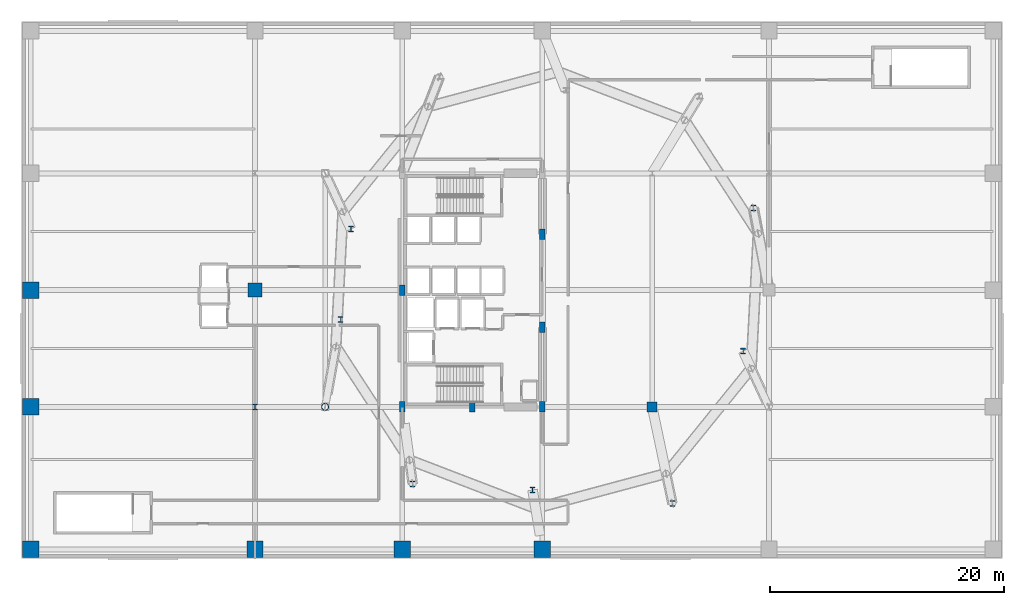
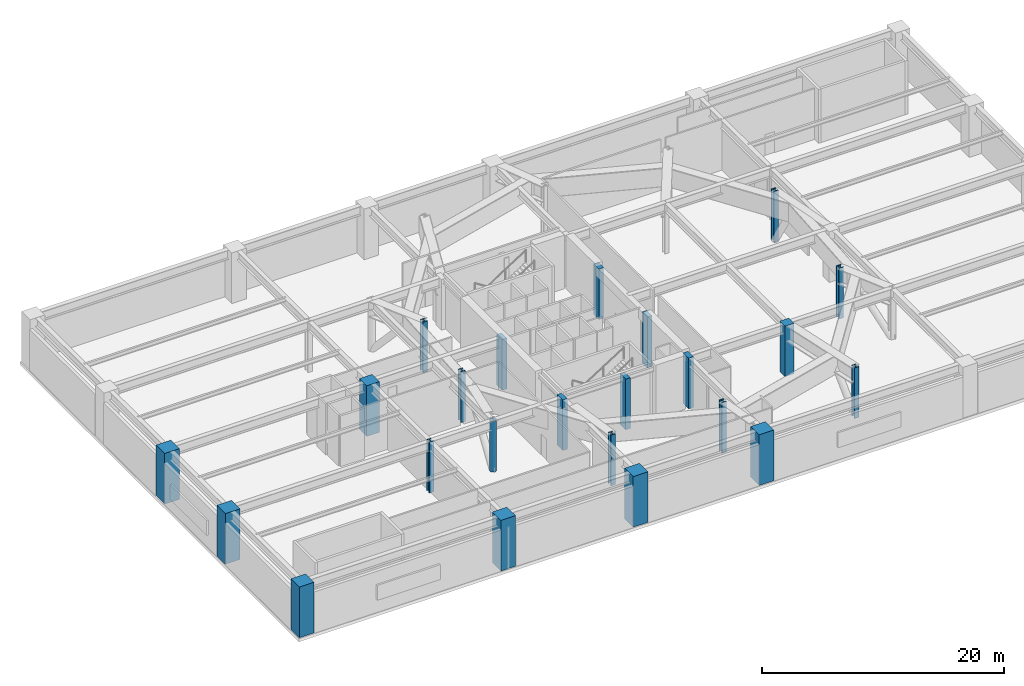
# One storey, part 1 of 12: 23 columns.
"""IFC4 building model written with IfcOpenShell, lengths in metres."""

from ifc_helpers import new_model, si_unit, direction, frame, origin, origin_2d, place, context, subcontext, project, spatial, rectangle, hollow_circle, i_section, extrude, material, material_profile, profile_set, type_object, element, save


model = new_model("IFC4")

# Units and contexts
model_context = context("Model", 3, precision=1e-05, world=origin(), true_north=direction((0.0, 1.0)))
body_context = subcontext(model_context, "Body", "Model", "MODEL_VIEW")
ifc_project = project(units=[si_unit("LENGTHUNIT", "METRE"), si_unit("AREAUNIT", "SQUARE_METRE"), si_unit("VOLUMEUNIT", "CUBIC_METRE"), si_unit("PLANEANGLEUNIT", "RADIAN"), si_unit("MASSUNIT", "GRAM", prefix="KILO")], contexts=[model_context])

# Site, building, storey
site_placement = place(None, origin())
site = spatial("IfcSite", under=ifc_project, at=site_placement, CompositionType="ELEMENT")
building_placement = place(site_placement, origin())
building = spatial("IfcBuilding", under=site, at=building_placement, Name="Soratama Intermodal Tower", CompositionType="ELEMENT")
storey_placement = place(building_placement, frame((0.0, 0.0, 25.199951171875)))
storey = spatial("IfcBuildingStorey", under=building, at=storey_placement, Name="L05", CompositionType="ELEMENT", Elevation=25.199951171875)

# Columns
ifc_material_1 = material(Name="Concrete f'c 56 MPa", Category="concrete")
ifc_material_profile_1 = material_profile(ifc_material_1, rectangle(XDim=1.39990234375, YDim=1.39990234375, at=origin_2d()), Name="RC1400X1400")
ifc_profile_set_1 = profile_set([ifc_material_profile_1], Name="Concrete f'c 56 MPa")
column_type_1 = type_object("IfcColumnType", Name="COL-POD-EXT-RC1400", PredefinedType="COLUMN", material=ifc_profile_set_1)
for number, where, z_axis, x_axis, name in (
    (1, (0.800048828125, 2.800048828125, 0.0), (0.0, 0.0, 1.0), (1.0, 0.0, 0.0), "L05 Station Column P01"),
    (2, (20.0, 2.800048828125, 0.0), (0.0, 0.0, 1.0), (1.0, 0.0, 0.0), "L05 Station Column P02"),
    (3, (0.800048828125, 15.0, 0.0), (0.0, 0.0, 1.0), (1.0, 0.0, 0.0), "L05 Station Column P05"),
    (4, (0.800048828125, 25.0, 0.0), (0.0, 0.0, 1.0), (1.0, 0.0, 0.0), "L05 Station Column P17"),
    (5, (32.60009765625, 2.800048828125, 0.0), (0.0, 0.0, 1.0), (1.0, 0.0, 0.0), "L05 Station Column P21"),
    (6, (44.60009765625, 2.800048828125, 0.0), (0.0, 0.0, 1.0), (1.0, 0.0, 0.0), "L05 Station Column P22"),
):
    element("IfcColumn", number, at=place(storey_placement, frame(where, z_axis=z_axis, x_axis=x_axis)), inside=storey, type_object=column_type_1, Name=name, PredefinedType="COLUMN", context=body_context, shape_type="SweptSolid", body=[
        extrude(rectangle(XDim=1.39990234375, YDim=1.39990234375, at=origin_2d()), origin(), (0.0, 0.0, 1.0), 5.10009765625),
    ])
ifc_material_2 = material(Name="Concrete f'c 56 MPa", Category="concrete")
ifc_material_profile_2 = material_profile(ifc_material_2, rectangle(XDim=1.199951171875, YDim=1.199951171875, at=origin_2d()), Name="RC1200X1200")
ifc_profile_set_2 = profile_set([ifc_material_profile_2], Name="Concrete f'c 56 MPa")
column_type_2 = type_object("IfcColumnType", Name="COL-POD-RC1200", PredefinedType="COLUMN", material=ifc_profile_set_2)
column_1_placement = place(storey_placement, frame((20.0, 25.0, 0.0), z_axis=(0.0, 0.0, 1.0), x_axis=(1.0, 0.0, 0.0)))
element("IfcColumn", 7, at=column_1_placement, inside=storey, type_object=column_type_2, Name="L05 Station Column P18", PredefinedType="COLUMN", context=body_context, shape_type="SweptSolid", body=[
    extrude(rectangle(XDim=1.199951171875, YDim=1.199951171875, at=origin_2d()), origin(), (0.0, 0.0, 1.0), 5.10009765625),
])
ifc_material_3 = material(Name="Concrete f'c 56 MPa", Category="concrete")
ifc_material_profile_3 = material_profile(ifc_material_3, rectangle(XDim=0.85009765625, YDim=0.85009765625, at=origin_2d()), Name="RC850X850")
ifc_profile_set_3 = profile_set([ifc_material_profile_3], Name="Concrete f'c 56 MPa")
column_type_3 = type_object("IfcColumnType", Name="COL-POD-RC850", PredefinedType="COLUMN", material=ifc_profile_set_3)
column_2_placement = place(storey_placement, frame((54.0, 15.0, 0.0), z_axis=(0.0, 0.0, 1.0), x_axis=(1.0, 0.0, 0.0)))
element("IfcColumn", 8, at=column_2_placement, inside=storey, type_object=column_type_3, Name="L05 Station Column P25", PredefinedType="COLUMN", context=body_context, shape_type="SweptSolid", body=[
    extrude(rectangle(XDim=0.85009765625, YDim=0.85009765625, at=origin_2d()), origin(), (0.0, 0.0, 1.0), 5.10009765625),
])
ifc_material_4 = material(Name="Structural steel ASTM A992 Grade 50", Category="steel")
ifc_material_profile_4 = material_profile(ifc_material_4, i_section(OverallWidth=0.431884765625, OverallDepth=0.498046875, WebThickness=0.0556640625, FlangeThickness=0.0888671875, FilletRadius=0.0380859375, at=origin_2d()), Name="W14X500")
ifc_profile_set_4 = profile_set([ifc_material_profile_4], Name="Structural steel ASTM A992 Grade 50")
column_type_4 = type_object("IfcColumnType", Name="COL-POD-W14X500", PredefinedType="COLUMN", material=ifc_profile_set_4)
for number, where, z_axis, x_axis, name in (
    (9, (20.0, 15.0, 0.0), (0.0, 0.0, 1.0), (1.0, 0.0, 0.0), "L05 Station Column P06"),
    (10, (62.6689453125, 32.02490234375, 0.0), (0.0, 0.0, 1.0), (1.0, 0.0, 0.0), "L05 Station Column P29"),
    (11, (28.208984375, 30.22705078125, 0.0), (0.0, 0.0, 1.0), (1.0, 0.0, 0.0), "L05 Station Column P33"),
    (12, (27.3310546875, 22.47509765625, 0.0), (0.0, 0.0, 1.0), (1.0, 0.0, 0.0), "L05 Station Column P34"),
    (13, (33.498046875, 8.405029296875, 0.0), (0.0, 0.0, 1.0), (1.0, 0.0, 0.0), "L05 Station Column P35"),
    (14, (43.759033203125, 7.883056640625, 0.0), (0.0, 0.0, 1.0), (1.0, 0.0, 0.0), "L05 Station Column P36"),
    (15, (55.73388671875, 6.735107421875, 0.0), (0.0, 0.0, 1.0), (1.0, 0.0, 0.0), "L05 Station Column P37"),
    (16, (61.791015625, 19.77294921875, 0.0), (0.0, 0.0, 1.0), (1.0, 0.0, 0.0), "L05 Station Column P38"),
):
    element("IfcColumn", number, at=place(storey_placement, frame(where, z_axis=z_axis, x_axis=x_axis)), inside=storey, type_object=column_type_4, Name=name, PredefinedType="COLUMN", context=body_context, shape_type="SweptSolid", body=[
        extrude(i_section(OverallWidth=0.431884765625, OverallDepth=0.498046875, WebThickness=0.0556640625, FlangeThickness=0.0888671875, FilletRadius=0.0380859375, at=origin_2d()), origin(), (0.0, 0.0, 1.0), 5.10009765625),
    ])
ifc_material_5 = material(Name="Structural steel ASTM A500 Grade C", Category="steel")
ifc_material_profile_5 = material_profile(ifc_material_5, hollow_circle(Radius=0.304931640625, WallThickness=0.02197265625, at=origin_2d()), Name="CHS610X22")
ifc_profile_set_5 = profile_set([ifc_material_profile_5], Name="Structural steel ASTM A500 Grade C")
column_type_5 = type_object("IfcColumnType", Name="COL-POOL-CHS610", PredefinedType="COLUMN", material=ifc_profile_set_5)
column_3_placement = place(storey_placement, frame((26.0, 15.0, 0.0), z_axis=(0.0, 0.0, 1.0), x_axis=(1.0, 0.0, 0.0)))
element("IfcColumn", 17, at=column_3_placement, inside=storey, type_object=column_type_5, Name="L05 Station Column P27", PredefinedType="COLUMN", context=body_context, shape_type="SweptSolid", body=[
    extrude(hollow_circle(Radius=0.304931640625, WallThickness=0.02197265625, at=origin_2d()), origin(), (0.0, 0.0, 1.0), 5.070068359375),
])
ifc_material_6 = material(Name="Concrete f'c 56 MPa", Category="concrete")
ifc_material_profile_6 = material_profile(ifc_material_6, rectangle(XDim=0.449951171875, YDim=0.89990234375, at=origin_2d()), Name="RC450X900")
ifc_profile_set_6 = profile_set([ifc_material_profile_6], Name="Concrete f'c 56 MPa")
column_type_6 = type_object("IfcColumnType", Name="PIL-CORE-450X900", PredefinedType="PILASTER", material=ifc_profile_set_6)
for number, where, z_axis, x_axis, name in (
    (18, (32.60009765625, 15.0, 0.0), (0.0, 0.0, 1.0), (1.0, 0.0, 0.0), "L05 Core Pilaster 1"),
    (19, (32.60009765625, 25.0, 0.0), (0.0, 0.0, 1.0), (1.0, 0.0, 0.0), "L05 Core Pilaster 2"),
    (20, (38.60009765625, 15.0, 0.0), (0.0, 0.0, 1.0), (1.0, 0.0, 0.0), "L05 Core Pilaster 4"),
    (21, (44.60009765625, 15.0, 0.0), (0.0, 0.0, 1.0), (1.0, 0.0, 0.0), "L05 Core Pilaster 6"),
    (22, (44.60009765625, 21.800048828125, 0.0), (0.0, 0.0, 1.0), (1.0, 0.0, 0.0), "L05 Core Pilaster 7"),
    (23, (44.60009765625, 29.800048828125, 0.0), (0.0, 0.0, 1.0), (1.0, 0.0, 0.0), "L05 Core Pilaster 8"),
):
    element("IfcColumn", number, at=place(storey_placement, frame(where, z_axis=z_axis, x_axis=x_axis)), inside=storey, type_object=column_type_6, Name=name, PredefinedType="PILASTER", context=body_context, shape_type="SweptSolid", body=[
        extrude(rectangle(XDim=0.449951171875, YDim=0.89990234375, at=origin_2d()), origin(), (0.0, 0.0, 1.0), 5.10009765625),
    ])

save(model, "model.ifc")
